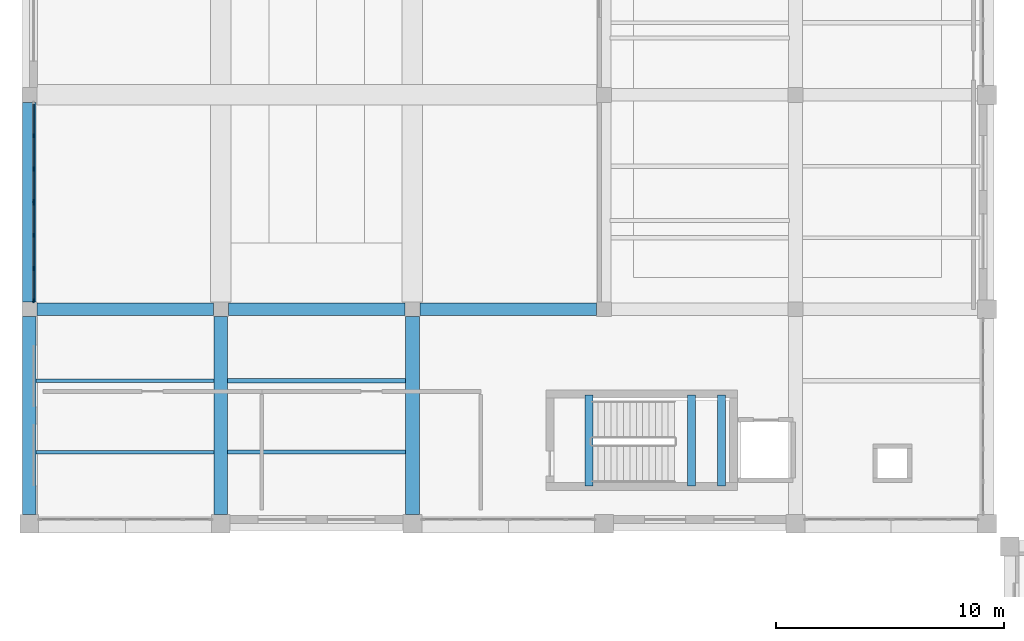
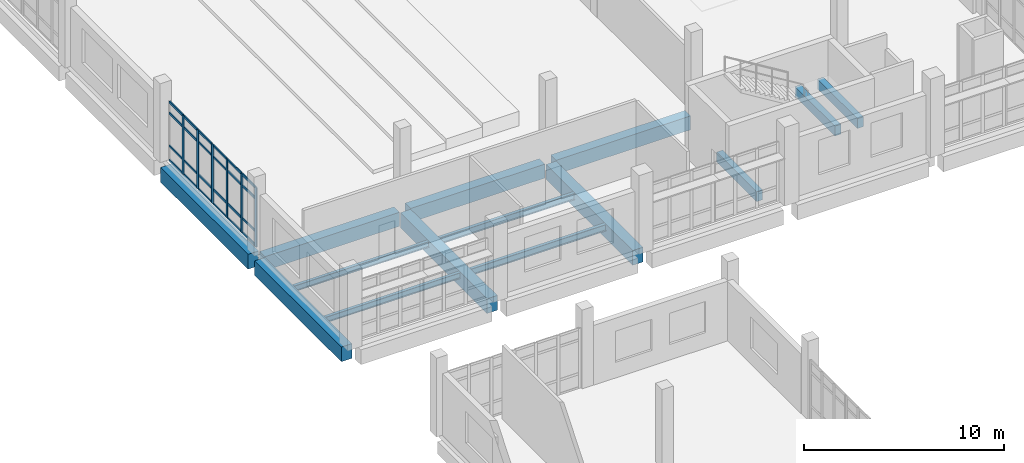
# One storey, part 23 of 90: 31 members, 14 beams, 2 elements without a shape of their own.
"""IFC4 building model written with IfcOpenShell, lengths in metres."""

from ifc_helpers import new_model, si_unit, direction, frame, origin, origin_2d, place, context, subcontext, project, spatial, rectangle, i_section, extrude, material, layer, layer_set, material_profile, profile_set, type_object, element, aggregate, save


model = new_model("IFC4")

# Units and contexts
model_context = context("Model", 3, precision=1e-05, world=origin(), true_north=direction((0.0, 1.0)))
body_context = subcontext(model_context, "Body", "Model", "MODEL_VIEW")
ifc_project = project(units=[si_unit("LENGTHUNIT", "METRE"), si_unit("AREAUNIT", "SQUARE_METRE"), si_unit("VOLUMEUNIT", "CUBIC_METRE"), si_unit("PLANEANGLEUNIT", "RADIAN"), si_unit("MASSUNIT", "GRAM", prefix="KILO")], contexts=[model_context])

# Site, building, storey
site_placement = place(None, origin())
site = spatial("IfcSite", under=ifc_project, at=site_placement, CompositionType="ELEMENT")
building_placement = place(site_placement, origin())
building = spatial("IfcBuilding", under=site, at=building_placement, Name="Kelarvand Opera House", CompositionType="ELEMENT")
storey_placement = place(building_placement, frame((0.0, 0.0, 5.39990234375)))
storey = spatial("IfcBuildingStorey", under=building, at=storey_placement, Name="L01", CompositionType="ELEMENT", Elevation=5.39990234375)

# Curtain wall, members
ifc_material_1 = material(Name="Thermally broken aluminium and low-E glazing", Category="aluminium")
ifc_layer = layer(ifc_material_1, 0.179931640625, Name="Thermally broken aluminium and low-E glazing", Category="aluminium")
ifc_layer_set = layer_set([ifc_layer], Name="Thermally broken aluminium and low-E glazing")
curtain_wall_type = type_object("IfcCurtainWallType", Name="Unitised Low-E Curtain Wall 4326x3600 Mod 1350 CWF-15", PredefinedType="USERDEFINED", material=ifc_layer_set)
curtain_wall_1_placement = place(storey_placement, origin())
curtain_wall_1 = element("IfcCurtainWall", 1, at=curtain_wall_1_placement, inside=storey, type_object=curtain_wall_type, Name="V3 L01 Curtain Wall CWF-15 (57)", ObjectType="UNITISED CURTAIN WALL", PredefinedType="USERDEFINED")
ifc_material_2 = material(Name="Thermally broken anodised aluminium", Category="aluminium")
ifc_material_profile_1 = material_profile(ifc_material_2, rectangle(XDim=0.06494140625, YDim=0.179931640625, at=origin_2d()), Name="ALU MULLION 65x180", Category="aluminium")
ifc_profile_set_1 = profile_set([ifc_material_profile_1], Name="Thermally broken anodised aluminium")
member_type_1 = type_object("IfcMemberType", Name="Curtain Wall Mullion 65x180 Aluminium", PredefinedType="MULLION", material=ifc_profile_set_1)
member_1_placement = place(storey_placement, frame((9.179931640625, 96.967529296875, 0.0), z_axis=(0.0, 0.0, 1.0), x_axis=(-1.0, 0.0, 0.0)))
member_1 = element("IfcMember", 2, at=member_1_placement, type_object=member_type_1, Name="CWF-15 mullion 1", PredefinedType="MULLION", context=body_context, shape_type="SweptSolid", body=[
    extrude(rectangle(XDim=0.06494140625, YDim=0.179931640625, at=origin_2d()), origin(), (0.0, 0.0, 1.0), 3.60009765625),
])
member_2_placement = place(storey_placement, frame((9.179931640625, 98.388671875, 0.0), z_axis=(0.0, 0.0, 1.0), x_axis=(-1.0, 0.0, 0.0)))
member_2 = element("IfcMember", 3, at=member_2_placement, type_object=member_type_1, Name="CWF-15 mullion 2", PredefinedType="MULLION", context=body_context, shape_type="SweptSolid", body=[
    extrude(rectangle(XDim=0.06494140625, YDim=0.179931640625, at=origin_2d()), origin(), (0.0, 0.0, 1.0), 3.60009765625),
])
member_3_placement = place(storey_placement, frame((9.179931640625, 99.84228515625, 0.0), z_axis=(0.0, 0.0, 1.0), x_axis=(-1.0, 0.0, 0.0)))
member_3 = element("IfcMember", 4, at=member_3_placement, type_object=member_type_1, Name="CWF-15 mullion 3", PredefinedType="MULLION", context=body_context, shape_type="SweptSolid", body=[
    extrude(rectangle(XDim=0.06494140625, YDim=0.179931640625, at=origin_2d()), origin(), (0.0, 0.0, 1.0), 3.60009765625),
])
member_4_placement = place(storey_placement, frame((9.179931640625, 101.263427734375, 0.0), z_axis=(0.0, 0.0, 1.0), x_axis=(-1.0, 0.0, 0.0)))
member_4 = element("IfcMember", 5, at=member_4_placement, type_object=member_type_1, Name="CWF-15 mullion 4", PredefinedType="MULLION", context=body_context, shape_type="SweptSolid", body=[
    extrude(rectangle(XDim=0.06494140625, YDim=0.179931640625, at=origin_2d()), origin(), (0.0, 0.0, 1.0), 3.60009765625),
])

curtain_wall_2_placement = place(storey_placement, origin())
curtain_wall_2 = element("IfcCurtainWall", 6, at=curtain_wall_2_placement, inside=storey, type_object=curtain_wall_type, Name="V3 L01 Curtain Wall CWF-15 (58)", ObjectType="UNITISED CURTAIN WALL", PredefinedType="USERDEFINED")
member_5_placement = place(storey_placement, frame((9.179931640625, 101.33251953125, 0.0), z_axis=(0.0, 0.0, 1.0), x_axis=(-1.0, 0.0, 0.0)))
member_5 = element("IfcMember", 7, at=member_5_placement, type_object=member_type_1, Name="CWF-15 mullion 1", PredefinedType="MULLION", context=body_context, shape_type="SweptSolid", body=[
    extrude(rectangle(XDim=0.06494140625, YDim=0.179931640625, at=origin_2d()), origin(), (0.0, 0.0, 1.0), 3.60009765625),
])
member_6_placement = place(storey_placement, frame((9.179931640625, 102.7548828125, 0.0), z_axis=(0.0, 0.0, 1.0), x_axis=(-1.0, 0.0, 0.0)))
member_6 = element("IfcMember", 8, at=member_6_placement, type_object=member_type_1, Name="CWF-15 mullion 2", PredefinedType="MULLION", context=body_context, shape_type="SweptSolid", body=[
    extrude(rectangle(XDim=0.06494140625, YDim=0.179931640625, at=origin_2d()), origin(), (0.0, 0.0, 1.0), 3.60009765625),
])
member_7_placement = place(storey_placement, frame((9.179931640625, 104.2099609375, 0.0), z_axis=(0.0, 0.0, 1.0), x_axis=(-1.0, 0.0, 0.0)))
member_7 = element("IfcMember", 9, at=member_7_placement, type_object=member_type_1, Name="CWF-15 mullion 3", PredefinedType="MULLION", context=body_context, shape_type="SweptSolid", body=[
    extrude(rectangle(XDim=0.06494140625, YDim=0.179931640625, at=origin_2d()), origin(), (0.0, 0.0, 1.0), 3.60009765625),
])

# Member
ifc_material_profile_2 = material_profile(ifc_material_2, rectangle(XDim=0.06494140625, YDim=0.139892578125, at=origin_2d()), Name="ALU TRANSOM 65x140", Category="aluminium")
ifc_profile_set_2 = profile_set([ifc_material_profile_2], Name="Thermally broken anodised aluminium")
member_type_2 = type_object("IfcMemberType", Name="Curtain Wall Transom 65x140 Aluminium", PredefinedType="USERDEFINED", material=ifc_profile_set_2)
member_8_placement = place(storey_placement, frame((9.179931640625, 97.0, 0.03271484375), z_axis=(0.0, 1.0, 0.0), x_axis=(-1.0, 0.0, 0.0)))
member_8 = element("IfcMember", 10, at=member_8_placement, type_object=member_type_2, Name="CWF-15 transom 1.1", ObjectType="TRANSOM", PredefinedType="USERDEFINED", context=body_context, shape_type="SweptSolid", body=[
    extrude(rectangle(XDim=0.06494140625, YDim=0.139892578125, at=origin_2d()), origin(), (0.0, 0.0, 1.0), 1.356201171875),
])

member_9_placement = place(storey_placement, frame((9.179931640625, 97.0, 0.900146484375), z_axis=(0.0, 1.0, 0.0), x_axis=(-1.0, 0.0, 0.0)))
member_9 = element("IfcMember", 11, at=member_9_placement, type_object=member_type_2, Name="CWF-15 transom 1.2", ObjectType="TRANSOM", PredefinedType="USERDEFINED", context=body_context, shape_type="SweptSolid", body=[
    extrude(rectangle(XDim=0.06494140625, YDim=0.139892578125, at=origin_2d()), origin(), (0.0, 0.0, 1.0), 1.356201171875),
])

member_10_placement = place(storey_placement, frame((9.179931640625, 97.0, 2.900146484375), z_axis=(0.0, 1.0, 0.0), x_axis=(-1.0, 0.0, 0.0)))
member_10 = element("IfcMember", 12, at=member_10_placement, type_object=member_type_2, Name="CWF-15 transom 1.3", ObjectType="TRANSOM", PredefinedType="USERDEFINED", context=body_context, shape_type="SweptSolid", body=[
    extrude(rectangle(XDim=0.06494140625, YDim=0.139892578125, at=origin_2d()), origin(), (0.0, 0.0, 1.0), 1.356201171875),
])

member_11_placement = place(storey_placement, frame((9.179931640625, 97.0, 3.567626953125), z_axis=(0.0, 1.0, 0.0), x_axis=(-1.0, 0.0, 0.0)))
member_11 = element("IfcMember", 13, at=member_11_placement, type_object=member_type_2, Name="CWF-15 transom 1.4", ObjectType="TRANSOM", PredefinedType="USERDEFINED", context=body_context, shape_type="SweptSolid", body=[
    extrude(rectangle(XDim=0.06494140625, YDim=0.139892578125, at=origin_2d()), origin(), (0.0, 0.0, 1.0), 1.356201171875),
])

member_12_placement = place(storey_placement, frame((9.179931640625, 98.421142578125, 0.03271484375), z_axis=(0.0, 1.0, 0.0), x_axis=(-1.0, 0.0, 0.0)))
member_12 = element("IfcMember", 14, at=member_12_placement, type_object=member_type_2, Name="CWF-15 transom 2.1", ObjectType="TRANSOM", PredefinedType="USERDEFINED", context=body_context, shape_type="SweptSolid", body=[
    extrude(rectangle(XDim=0.06494140625, YDim=0.139892578125, at=origin_2d()), origin(), (0.0, 0.0, 1.0), 1.388671875),
])

member_13_placement = place(storey_placement, frame((9.179931640625, 98.421142578125, 0.900146484375), z_axis=(0.0, 1.0, 0.0), x_axis=(-1.0, 0.0, 0.0)))
member_13 = element("IfcMember", 15, at=member_13_placement, type_object=member_type_2, Name="CWF-15 transom 2.2", ObjectType="TRANSOM", PredefinedType="USERDEFINED", context=body_context, shape_type="SweptSolid", body=[
    extrude(rectangle(XDim=0.06494140625, YDim=0.139892578125, at=origin_2d()), origin(), (0.0, 0.0, 1.0), 1.388671875),
])

member_14_placement = place(storey_placement, frame((9.179931640625, 98.421142578125, 2.900146484375), z_axis=(0.0, 1.0, 0.0), x_axis=(-1.0, 0.0, 0.0)))
member_14 = element("IfcMember", 16, at=member_14_placement, type_object=member_type_2, Name="CWF-15 transom 2.3", ObjectType="TRANSOM", PredefinedType="USERDEFINED", context=body_context, shape_type="SweptSolid", body=[
    extrude(rectangle(XDim=0.06494140625, YDim=0.139892578125, at=origin_2d()), origin(), (0.0, 0.0, 1.0), 1.388671875),
])

member_15_placement = place(storey_placement, frame((9.179931640625, 98.421142578125, 3.567626953125), z_axis=(0.0, 1.0, 0.0), x_axis=(-1.0, 0.0, 0.0)))
member_15 = element("IfcMember", 17, at=member_15_placement, type_object=member_type_2, Name="CWF-15 transom 2.4", ObjectType="TRANSOM", PredefinedType="USERDEFINED", context=body_context, shape_type="SweptSolid", body=[
    extrude(rectangle(XDim=0.06494140625, YDim=0.139892578125, at=origin_2d()), origin(), (0.0, 0.0, 1.0), 1.388671875),
])

member_16_placement = place(storey_placement, frame((9.179931640625, 99.874755859375, 0.03271484375), z_axis=(0.0, 1.0, 0.0), x_axis=(-1.0, 0.0, 0.0)))
member_16 = element("IfcMember", 18, at=member_16_placement, type_object=member_type_2, Name="CWF-15 transom 3.1", ObjectType="TRANSOM", PredefinedType="USERDEFINED", context=body_context, shape_type="SweptSolid", body=[
    extrude(rectangle(XDim=0.06494140625, YDim=0.139892578125, at=origin_2d()), origin(), (0.0, 0.0, 1.0), 1.356201171875),
])

member_17_placement = place(storey_placement, frame((9.179931640625, 99.874755859375, 0.900146484375), z_axis=(0.0, 1.0, 0.0), x_axis=(-1.0, 0.0, 0.0)))
member_17 = element("IfcMember", 19, at=member_17_placement, type_object=member_type_2, Name="CWF-15 transom 3.2", ObjectType="TRANSOM", PredefinedType="USERDEFINED", context=body_context, shape_type="SweptSolid", body=[
    extrude(rectangle(XDim=0.06494140625, YDim=0.139892578125, at=origin_2d()), origin(), (0.0, 0.0, 1.0), 1.356201171875),
])

member_18_placement = place(storey_placement, frame((9.179931640625, 99.874755859375, 2.900146484375), z_axis=(0.0, 1.0, 0.0), x_axis=(-1.0, 0.0, 0.0)))
member_18 = element("IfcMember", 20, at=member_18_placement, type_object=member_type_2, Name="CWF-15 transom 3.3", ObjectType="TRANSOM", PredefinedType="USERDEFINED", context=body_context, shape_type="SweptSolid", body=[
    extrude(rectangle(XDim=0.06494140625, YDim=0.139892578125, at=origin_2d()), origin(), (0.0, 0.0, 1.0), 1.356201171875),
])

member_19_placement = place(storey_placement, frame((9.179931640625, 99.874755859375, 3.567626953125), z_axis=(0.0, 1.0, 0.0), x_axis=(-1.0, 0.0, 0.0)))
member_19 = element("IfcMember", 21, at=member_19_placement, type_object=member_type_2, Name="CWF-15 transom 3.4", ObjectType="TRANSOM", PredefinedType="USERDEFINED", context=body_context, shape_type="SweptSolid", body=[
    extrude(rectangle(XDim=0.06494140625, YDim=0.139892578125, at=origin_2d()), origin(), (0.0, 0.0, 1.0), 1.356201171875),
])

aggregate(curtain_wall_1, [member_1, member_2, member_3, member_4, member_8, member_9, member_10, member_11, member_12, member_13, member_14, member_15, member_16, member_17, member_18, member_19])

member_20_placement = place(storey_placement, frame((9.179931640625, 101.364990234375, 0.03271484375), z_axis=(0.0, 1.0, 0.0), x_axis=(-1.0, 0.0, 0.0)))
member_20 = element("IfcMember", 22, at=member_20_placement, type_object=member_type_2, Name="CWF-15 transom 1.1", ObjectType="TRANSOM", PredefinedType="USERDEFINED", context=body_context, shape_type="SweptSolid", body=[
    extrude(rectangle(XDim=0.06494140625, YDim=0.139892578125, at=origin_2d()), origin(), (0.0, 0.0, 1.0), 1.357421875),
])

member_21_placement = place(storey_placement, frame((9.179931640625, 101.364990234375, 0.900146484375), z_axis=(0.0, 1.0, 0.0), x_axis=(-1.0, 0.0, 0.0)))
member_21 = element("IfcMember", 23, at=member_21_placement, type_object=member_type_2, Name="CWF-15 transom 1.2", ObjectType="TRANSOM", PredefinedType="USERDEFINED", context=body_context, shape_type="SweptSolid", body=[
    extrude(rectangle(XDim=0.06494140625, YDim=0.139892578125, at=origin_2d()), origin(), (0.0, 0.0, 1.0), 1.357421875),
])

member_22_placement = place(storey_placement, frame((9.179931640625, 101.364990234375, 2.900146484375), z_axis=(0.0, 1.0, 0.0), x_axis=(-1.0, 0.0, 0.0)))
member_22 = element("IfcMember", 24, at=member_22_placement, type_object=member_type_2, Name="CWF-15 transom 1.3", ObjectType="TRANSOM", PredefinedType="USERDEFINED", context=body_context, shape_type="SweptSolid", body=[
    extrude(rectangle(XDim=0.06494140625, YDim=0.139892578125, at=origin_2d()), origin(), (0.0, 0.0, 1.0), 1.357421875),
])

member_23_placement = place(storey_placement, frame((9.179931640625, 101.364990234375, 3.567626953125), z_axis=(0.0, 1.0, 0.0), x_axis=(-1.0, 0.0, 0.0)))
member_23 = element("IfcMember", 25, at=member_23_placement, type_object=member_type_2, Name="CWF-15 transom 1.4", ObjectType="TRANSOM", PredefinedType="USERDEFINED", context=body_context, shape_type="SweptSolid", body=[
    extrude(rectangle(XDim=0.06494140625, YDim=0.139892578125, at=origin_2d()), origin(), (0.0, 0.0, 1.0), 1.357421875),
])

member_24_placement = place(storey_placement, frame((9.179931640625, 102.78759765625, 0.03271484375), z_axis=(0.0, 1.0, 0.0), x_axis=(-1.0, 0.0, 0.0)))
member_24 = element("IfcMember", 26, at=member_24_placement, type_object=member_type_2, Name="CWF-15 transom 2.1", ObjectType="TRANSOM", PredefinedType="USERDEFINED", context=body_context, shape_type="SweptSolid", body=[
    extrude(rectangle(XDim=0.06494140625, YDim=0.139892578125, at=origin_2d()), origin(), (0.0, 0.0, 1.0), 1.389892578125),
])

member_25_placement = place(storey_placement, frame((9.179931640625, 102.78759765625, 0.900146484375), z_axis=(0.0, 1.0, 0.0), x_axis=(-1.0, 0.0, 0.0)))
member_25 = element("IfcMember", 27, at=member_25_placement, type_object=member_type_2, Name="CWF-15 transom 2.2", ObjectType="TRANSOM", PredefinedType="USERDEFINED", context=body_context, shape_type="SweptSolid", body=[
    extrude(rectangle(XDim=0.06494140625, YDim=0.139892578125, at=origin_2d()), origin(), (0.0, 0.0, 1.0), 1.389892578125),
])

member_26_placement = place(storey_placement, frame((9.179931640625, 102.78759765625, 2.900146484375), z_axis=(0.0, 1.0, 0.0), x_axis=(-1.0, 0.0, 0.0)))
member_26 = element("IfcMember", 28, at=member_26_placement, type_object=member_type_2, Name="CWF-15 transom 2.3", ObjectType="TRANSOM", PredefinedType="USERDEFINED", context=body_context, shape_type="SweptSolid", body=[
    extrude(rectangle(XDim=0.06494140625, YDim=0.139892578125, at=origin_2d()), origin(), (0.0, 0.0, 1.0), 1.389892578125),
])

member_27_placement = place(storey_placement, frame((9.179931640625, 102.78759765625, 3.567626953125), z_axis=(0.0, 1.0, 0.0), x_axis=(-1.0, 0.0, 0.0)))
member_27 = element("IfcMember", 29, at=member_27_placement, type_object=member_type_2, Name="CWF-15 transom 2.4", ObjectType="TRANSOM", PredefinedType="USERDEFINED", context=body_context, shape_type="SweptSolid", body=[
    extrude(rectangle(XDim=0.06494140625, YDim=0.139892578125, at=origin_2d()), origin(), (0.0, 0.0, 1.0), 1.389892578125),
])

member_28_placement = place(storey_placement, frame((9.179931640625, 104.242431640625, 0.03271484375), z_axis=(0.0, 1.0, 0.0), x_axis=(-1.0, 0.0, 0.0)))
member_28 = element("IfcMember", 30, at=member_28_placement, type_object=member_type_2, Name="CWF-15 transom 3.1", ObjectType="TRANSOM", PredefinedType="USERDEFINED", context=body_context, shape_type="SweptSolid", body=[
    extrude(rectangle(XDim=0.06494140625, YDim=0.139892578125, at=origin_2d()), origin(), (0.0, 0.0, 1.0), 1.357666015625),
])

member_29_placement = place(storey_placement, frame((9.179931640625, 104.242431640625, 0.900146484375), z_axis=(0.0, 1.0, 0.0), x_axis=(-1.0, 0.0, 0.0)))
member_29 = element("IfcMember", 31, at=member_29_placement, type_object=member_type_2, Name="CWF-15 transom 3.2", ObjectType="TRANSOM", PredefinedType="USERDEFINED", context=body_context, shape_type="SweptSolid", body=[
    extrude(rectangle(XDim=0.06494140625, YDim=0.139892578125, at=origin_2d()), origin(), (0.0, 0.0, 1.0), 1.357666015625),
])

member_30_placement = place(storey_placement, frame((9.179931640625, 104.242431640625, 2.900146484375), z_axis=(0.0, 1.0, 0.0), x_axis=(-1.0, 0.0, 0.0)))
member_30 = element("IfcMember", 32, at=member_30_placement, type_object=member_type_2, Name="CWF-15 transom 3.3", ObjectType="TRANSOM", PredefinedType="USERDEFINED", context=body_context, shape_type="SweptSolid", body=[
    extrude(rectangle(XDim=0.06494140625, YDim=0.139892578125, at=origin_2d()), origin(), (0.0, 0.0, 1.0), 1.357666015625),
])

member_31_placement = place(storey_placement, frame((9.179931640625, 104.242431640625, 3.567626953125), z_axis=(0.0, 1.0, 0.0), x_axis=(-1.0, 0.0, 0.0)))
member_31 = element("IfcMember", 33, at=member_31_placement, type_object=member_type_2, Name="CWF-15 transom 3.4", ObjectType="TRANSOM", PredefinedType="USERDEFINED", context=body_context, shape_type="SweptSolid", body=[
    extrude(rectangle(XDim=0.06494140625, YDim=0.139892578125, at=origin_2d()), origin(), (0.0, 0.0, 1.0), 1.357666015625),
])

aggregate(curtain_wall_2, [member_5, member_6, member_7, member_20, member_21, member_22, member_23, member_24, member_25, member_26, member_27, member_28, member_29, member_30, member_31])

# Beams
ifc_material_3 = material(Name="Concrete C35/45", Category="concrete")
ifc_material_profile_3 = material_profile(ifc_material_3, rectangle(XDim=0.35009765625, YDim=0.60009765625, at=origin_2d()), Name="RC 350x600", Category="concrete")
ifc_profile_set_3 = profile_set([ifc_material_profile_3], Name="Concrete C35/45")
beam_type_1 = type_object("IfcBeamType", Name="Structural Beam RC 350x600 BM-RC350x600", PredefinedType="BEAM", material=ifc_profile_set_3)
for number, where, z_axis, x_axis, name in (
    (34, (33.5400390625, 88.85009765625, -0.52001953125), (0.0, 1.0, 0.0), (-1.0, 0.0, 0.0), "C5 Stair Landing Support Beam L01"),
    (35, (38.050048828125, 88.85009765625, 1.900146484375), (0.0, 1.0, 0.0), (-1.0, 0.0, 0.0), "C5 Stair Half-Landing Beam 1 L01"),
    (36, (39.35009765625, 88.85009765625, 1.900146484375), (0.0, 1.0, 0.0), (-1.0, 0.0, 0.0), "C5 Stair Half-Landing Beam 2 L01"),
):
    element("IfcBeam", number, at=place(storey_placement, frame(where, z_axis=z_axis, x_axis=x_axis)), inside=storey, type_object=beam_type_1, Name=name, PredefinedType="BEAM", context=body_context, shape_type="SweptSolid", body=[
        extrude(rectangle(XDim=0.35009765625, YDim=0.60009765625, at=origin_2d()), origin(), (0.0, 0.0, 1.0), 4.0),
    ])
ifc_material_4 = material(Name="Concrete C40/50", Category="concrete")
ifc_material_profile_4 = material_profile(ifc_material_4, rectangle(XDim=0.550048828125, YDim=0.85009765625, at=origin_2d()), Name="RC 550x850", Category="concrete")
ifc_profile_set_4 = profile_set([ifc_material_profile_4], Name="Concrete C40/50")
beam_type_2 = type_object("IfcBeamType", Name="Structural Beam RC 550x850 BM-RC550x850", PredefinedType="BEAM", material=ifc_profile_set_4)
for number, where, z_axis, x_axis, name in (
    (37, (9.324951171875, 96.60009765625, -0.724853515625), (1.0, 0.0, 0.0), (0.0, 1.0, 0.0), "V3 L01 Beam BM-RC550x850"),
    (38, (17.72509765625, 96.60009765625, -0.724853515625), (1.0, 0.0, 0.0), (0.0, 1.0, 0.0), "V3 L01 Beam BM-RC550x850"),
    (39, (26.125, 96.60009765625, -0.724853515625), (1.0, 0.0, 0.0), (0.0, 1.0, 0.0), "V3 L01 Beam BM-RC550x850"),
):
    element("IfcBeam", number, at=place(storey_placement, frame(where, z_axis=z_axis, x_axis=x_axis)), inside=storey, type_object=beam_type_2, Name=name, PredefinedType="BEAM", context=body_context, shape_type="SweptSolid", body=[
        extrude(rectangle(XDim=0.550048828125, YDim=0.85009765625, at=origin_2d()), origin(), (0.0, 0.0, 1.0), 7.75),
    ])
ifc_material_profile_5 = material_profile(ifc_material_4, rectangle(XDim=0.60009765625, YDim=0.89990234375, at=origin_2d()), Name="RC 600x900", Category="concrete")
ifc_profile_set_5 = profile_set([ifc_material_profile_5], Name="Concrete C40/50")
beam_type_3 = type_object("IfcBeamType", Name="Structural Beam RC 600x900 BM-RC600x900", PredefinedType="BEAM", material=ifc_profile_set_5)
for number, where, z_axis, x_axis, name in (
    (40, (17.39990234375, 87.610107421875, -0.75), (0.0, 1.0, 0.0), (-1.0, 0.0, 0.0), "V3 L01 Beam BM-RC600x900"),
    (41, (25.800048828125, 87.610107421875, -0.75), (0.0, 1.0, 0.0), (-1.0, 0.0, 0.0), "V3 L01 Beam BM-RC600x900"),
):
    element("IfcBeam", number, at=place(storey_placement, frame(where, z_axis=z_axis, x_axis=x_axis)), inside=storey, type_object=beam_type_3, Name=name, PredefinedType="BEAM", context=body_context, shape_type="SweptSolid", body=[
        extrude(rectangle(XDim=0.60009765625, YDim=0.89990234375, at=origin_2d()), origin(), (0.0, 0.0, 1.0), 8.664794921875),
    ])
ifc_material_5 = material(Name="Steel S355", Category="steel")
ifc_material_profile_6 = material_profile(ifc_material_5, i_section(OverallWidth=0.169921875, OverallDepth=0.360107421875, WebThickness=0.008056640625, FlangeThickness=0.0126953125, at=origin_2d()), Name="IPE 360", Category="steel")
ifc_profile_set_6 = profile_set([ifc_material_profile_6], Name="Steel S355")
beam_type_4 = type_object("IfcBeamType", Name="Structural Joist IPE 360 JS-IPE360", PredefinedType="JOIST", material=ifc_profile_set_6)
for number, where, z_axis, x_axis, name in (
    (42, (9.300048828125, 90.333251953125, -0.47998046875), (1.0, 0.0, 0.0), (0.0, 1.0, 0.0), "V3 L01 Beam JS-IPE360"),
    (43, (9.300048828125, 93.466796875, -0.47998046875), (1.0, 0.0, 0.0), (0.0, 1.0, 0.0), "V3 L01 Beam JS-IPE360"),
):
    element("IfcBeam", number, at=place(storey_placement, frame(where, z_axis=z_axis, x_axis=x_axis)), inside=storey, type_object=beam_type_4, Name=name, PredefinedType="JOIST", context=body_context, shape_type="SweptSolid", body=[
        extrude(i_section(OverallWidth=0.169921875, OverallDepth=0.360107421875, WebThickness=0.008056640625, FlangeThickness=0.0126953125, at=origin_2d()), origin(), (0.0, 0.0, 1.0), 7.800048828125),
    ])
ifc_material_profile_7 = material_profile(ifc_material_5, i_section(OverallWidth=0.179931640625, OverallDepth=0.39990234375, WebThickness=0.008544921875, FlangeThickness=0.013427734375, at=origin_2d()), Name="IPE 400", Category="steel")
ifc_profile_set_7 = profile_set([ifc_material_profile_7], Name="Steel S355")
beam_type_5 = type_object("IfcBeamType", Name="Structural Joist IPE 400 JS-IPE400", PredefinedType="JOIST", material=ifc_profile_set_7)
for number, where, z_axis, x_axis, name in (
    (44, (17.699951171875, 90.333251953125, -0.5), (1.0, 0.0, 0.0), (0.0, 1.0, 0.0), "V3 L01 Beam JS-IPE400"),
    (45, (17.699951171875, 93.466796875, -0.5), (1.0, 0.0, 0.0), (0.0, 1.0, 0.0), "V3 L01 Beam JS-IPE400"),
):
    element("IfcBeam", number, at=place(storey_placement, frame(where, z_axis=z_axis, x_axis=x_axis)), inside=storey, type_object=beam_type_5, Name=name, PredefinedType="JOIST", context=body_context, shape_type="SweptSolid", body=[
        extrude(i_section(OverallWidth=0.179931640625, OverallDepth=0.39990234375, WebThickness=0.008544921875, FlangeThickness=0.013427734375, at=origin_2d()), origin(), (0.0, 0.0, 1.0), 7.800048828125),
    ])
ifc_material_profile_8 = material_profile(ifc_material_4, rectangle(XDim=0.60009765625, YDim=0.89990234375, at=origin_2d()), Name="RC 600x900", Category="concrete")
ifc_profile_set_8 = profile_set([ifc_material_profile_8], Name="Concrete C40/50")
beam_type_6 = type_object("IfcBeamType", Name="Structural Spandrel RC 600x900 SP-RC600x900E", PredefinedType="SPANDREL", material=ifc_profile_set_8)
beam_1_placement = place(storey_placement, frame((9.0, 87.610107421875, -0.75), z_axis=(0.0, 1.0, 0.0), x_axis=(-1.0, 0.0, 0.0)))
element("IfcBeam", 46, at=beam_1_placement, inside=storey, type_object=beam_type_6, Name="V3 L01 Beam SP-RC600x900E", PredefinedType="SPANDREL", context=body_context, shape_type="SweptSolid", body=[
    extrude(rectangle(XDim=0.60009765625, YDim=0.89990234375, at=origin_2d()), origin(), (0.0, 0.0, 1.0), 8.664794921875),
])
beam_2_placement = place(storey_placement, frame((9.0, 96.925048828125, -0.75), z_axis=(0.0, 1.0, 0.0), x_axis=(-1.0, 0.0, 0.0)))
element("IfcBeam", 47, at=beam_2_placement, inside=storey, type_object=beam_type_6, Name="V3 L01 Beam SP-RC600x900E", PredefinedType="SPANDREL", context=body_context, shape_type="SweptSolid", body=[
    extrude(rectangle(XDim=0.60009765625, YDim=0.89990234375, at=origin_2d()), origin(), (0.0, 0.0, 1.0), 8.75),
])

save(model, "model.ifc")
